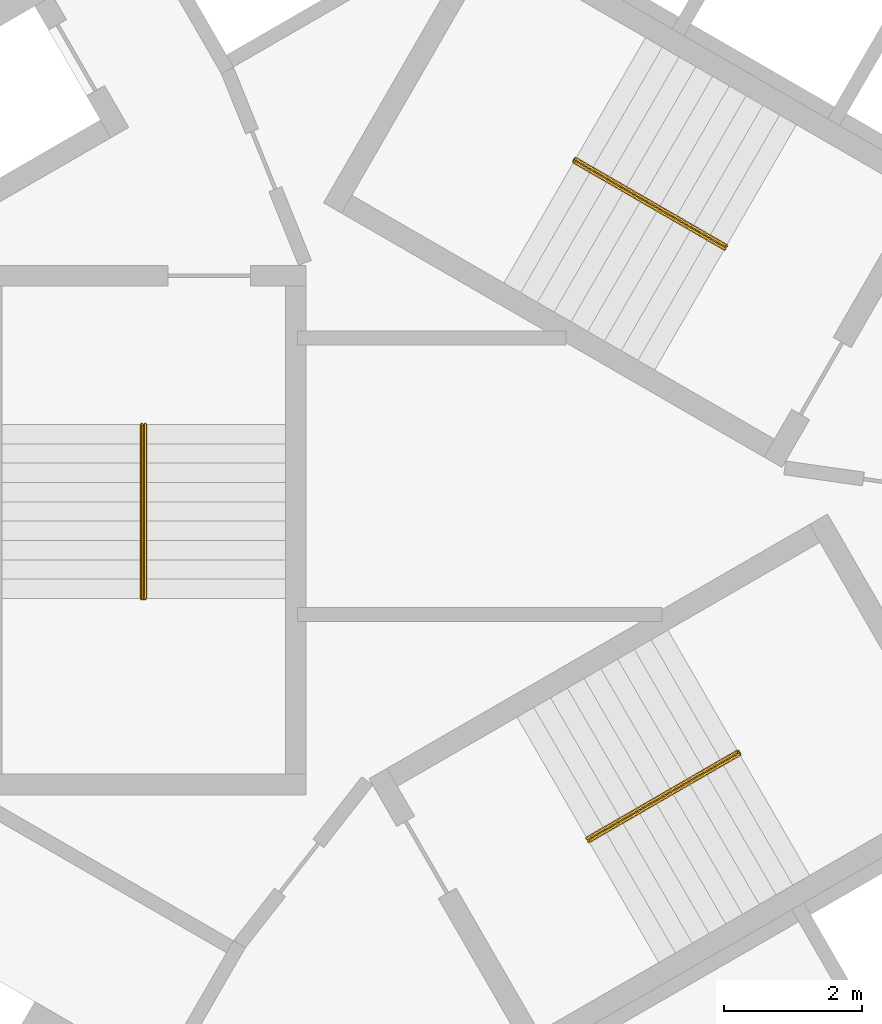
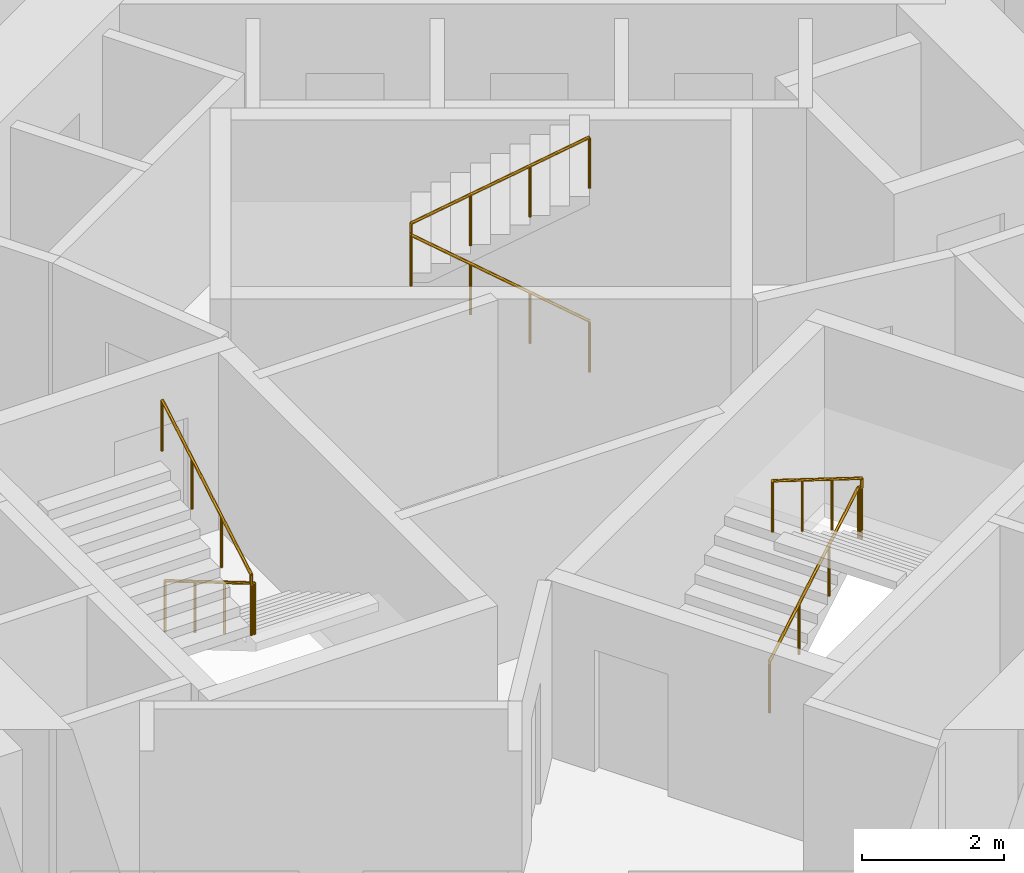
# One storey, part 12 of 12: 3 railings.
"""IFC4 building model written with IfcOpenShell, lengths in metres."""

from ifc_helpers import new_model, si_unit, direction, frame, origin, origin_2d, place, context, subcontext, project, spatial, circle, extrude, material, type_object, element, save


model = new_model("IFC4")

# Units and contexts
model_context = context("Model", 3, precision=1e-05, world=origin(), true_north=direction((0.0, 1.0)))
body_context = subcontext(model_context, "Body", "Model", "MODEL_VIEW")
ifc_project = project(units=[si_unit("LENGTHUNIT", "METRE"), si_unit("AREAUNIT", "SQUARE_METRE"), si_unit("VOLUMEUNIT", "CUBIC_METRE"), si_unit("PLANEANGLEUNIT", "RADIAN"), si_unit("MASSUNIT", "GRAM", prefix="KILO")], contexts=[model_context])

# Site, building, storey
site_placement = place(None, origin())
site = spatial("IfcSite", under=ifc_project, at=site_placement, CompositionType="ELEMENT")
building_placement = place(site_placement, origin())
building = spatial("IfcBuilding", under=site, at=building_placement, Name="Vanh Sen Convention Tower", CompositionType="ELEMENT")
storey_placement = place(building_placement, frame((0.0, 0.0, 83.60009765625)))
storey = spatial("IfcBuildingStorey", under=building, at=storey_placement, Name="L18", CompositionType="ELEMENT", Elevation=83.60009765625)

# Railings
ifc_material = material(Name="Stainless steel handrail", Category="steel")
railing_type = type_object("IfcRailingType", Name="Stair handrail 900", PredefinedType="HANDRAIL", material=ifc_material)
railing_1_placement = place(storey_placement, frame((3.45849609375, 3.690185546875, 0.164794921875)))
element("IfcRailing", 1, at=railing_1_placement, inside=storey, type_object=railing_type, Name="Stair handrail ST1 L18", PredefinedType="HANDRAIL", context=body_context, shape_type="SweptSolid", body=[
    extrude(circle(Radius=0.02392578125, at=origin_2d()), frame((0.0, 0.0, 0.8759765625), z_axis=(-0.746134546661, 0.430738299252, 0.507688640642), x_axis=(-0.499962843328, -0.866046855136, 0.0)), (0.0, 0.0, 1.0), 2.92529296875),
    extrude(circle(Radius=0.02392578125, at=origin_2d()), frame((-2.1826171875, 1.260009765625, 2.36083984375), z_axis=(0.502959906984, 0.86430974307, 0.0), x_axis=(-0.86430974307, 0.502959906984, 0.0)), (0.0, 0.0, 1.0), 0.050048828125),
    extrude(circle(Radius=0.02392578125, at=origin_2d()), frame((-2.157470703125, 1.30322265625, 2.36083984375), z_axis=(0.0, 0.0, 1.0), x_axis=(1.0, 0.0, 0.0)), (0.0, 0.0, 1.0), 0.1650390625),
    extrude(circle(Radius=0.02392578125, at=origin_2d()), frame((-2.157470703125, 1.30322265625, 2.52587890625), z_axis=(0.746129163535, -0.430783377672, 0.507658303235), x_axis=(0.500004791531, 0.866022637375, 0.0)), (0.0, 0.0, 1.0), 2.9248046875),
    extrude(circle(Radius=0.02099609375, at=origin_2d()), origin(), (0.0, 0.0, 1.0), 0.851806640625),
    extrude(circle(Radius=0.02099609375, at=origin_2d()), frame((-0.7275390625, 0.419921875, 0.4951171875)), (0.0, 0.0, 1.0), 0.851806640625),
    extrude(circle(Radius=0.02099609375, at=origin_2d()), frame((-1.455078125, 0.840087890625, 0.989990234375)), (0.0, 0.0, 1.0), 0.851806640625),
    extrude(circle(Radius=0.02099609375, at=origin_2d()), frame((-2.1826171875, 1.260009765625, 1.485107421875)), (0.0, 0.0, 1.0), 0.851806640625),
    extrude(circle(Radius=0.02099609375, at=origin_2d()), frame((-2.157470703125, 1.30322265625, 1.485107421875)), (0.0, 0.0, 1.0), 0.851806640625),
    extrude(circle(Radius=0.02099609375, at=origin_2d()), frame((-2.157470703125, 1.30322265625, 1.650146484375)), (0.0, 0.0, 1.0), 0.851806640625),
    extrude(circle(Radius=0.02099609375, at=origin_2d()), frame((-1.429931640625, 0.88330078125, 2.14501953125)), (0.0, 0.0, 1.0), 0.851806640625),
    extrude(circle(Radius=0.02099609375, at=origin_2d()), frame((-0.70263671875, 0.463134765625, 2.64013671875)), (0.0, 0.0, 1.0), 0.851806640625),
    extrude(circle(Radius=0.02099609375, at=origin_2d()), frame((0.02490234375, 0.043212890625, 3.135009765625)), (0.0, 0.0, 1.0), 0.851806640625),
])
railing_2_placement = place(storey_placement, frame((-4.925048828125, 1.14990234375, 0.164794921875)))
element("IfcRailing", 2, at=railing_2_placement, inside=storey, type_object=railing_type, Name="Stair handrail ST2 L18", PredefinedType="HANDRAIL", context=body_context, shape_type="SweptSolid", body=[
    extrude(circle(Radius=0.02392578125, at=origin_2d()), frame((0.0, 0.0, 0.8759765625), z_axis=(0.0, -0.86152411907, 0.507716645641), x_axis=(1.0, 0.0, 0.0)), (0.0, 0.0, 1.0), 2.925048828125),
    extrude(circle(Radius=0.02392578125, at=origin_2d()), frame((0.0, -2.52001953125, 2.36083984375), z_axis=(-1.0, 0.0, 0.0), x_axis=(0.0, -1.0, 0.0)), (0.0, 0.0, 1.0), 0.050048828125),
    extrude(circle(Radius=0.02392578125, at=origin_2d()), frame((-0.050048828125, -2.52001953125, 2.36083984375), z_axis=(0.0, 0.0, 1.0), x_axis=(1.0, 0.0, 0.0)), (0.0, 0.0, 1.0), 0.1650390625),
    extrude(circle(Radius=0.02392578125, at=origin_2d()), frame((-0.050048828125, -2.52001953125, 2.52587890625), z_axis=(0.0, 0.861560626758, 0.507654692109), x_axis=(-1.0, 0.0, 0.0)), (0.0, 0.0, 1.0), 2.925048828125),
    extrude(circle(Radius=0.02099609375, at=origin_2d()), origin(), (0.0, 0.0, 1.0), 0.851806640625),
    extrude(circle(Radius=0.02099609375, at=origin_2d()), frame((0.0, -0.840087890625, 0.4951171875)), (0.0, 0.0, 1.0), 0.851806640625),
    extrude(circle(Radius=0.02099609375, at=origin_2d()), frame((0.0, -1.679931640625, 0.989990234375)), (0.0, 0.0, 1.0), 0.851806640625),
    extrude(circle(Radius=0.02099609375, at=origin_2d()), frame((0.0, -2.52001953125, 1.485107421875)), (0.0, 0.0, 1.0), 0.851806640625),
    extrude(circle(Radius=0.02099609375, at=origin_2d()), frame((-0.050048828125, -2.52001953125, 1.485107421875)), (0.0, 0.0, 1.0), 0.851806640625),
    extrude(circle(Radius=0.02099609375, at=origin_2d()), frame((-0.050048828125, -2.52001953125, 1.650146484375)), (0.0, 0.0, 1.0), 0.851806640625),
    extrude(circle(Radius=0.02099609375, at=origin_2d()), frame((-0.050048828125, -1.679931640625, 2.14501953125)), (0.0, 0.0, 1.0), 0.851806640625),
    extrude(circle(Radius=0.02099609375, at=origin_2d()), frame((-0.050048828125, -0.840087890625, 2.64013671875)), (0.0, 0.0, 1.0), 0.851806640625),
    extrude(circle(Radius=0.02099609375, at=origin_2d()), frame((-0.050048828125, 0.0, 3.135009765625)), (0.0, 0.0, 1.0), 0.851806640625),
])
railing_3_placement = place(storey_placement, frame((1.466552734375, -4.840087890625, 0.164794921875)))
element("IfcRailing", 3, at=railing_3_placement, inside=storey, type_object=railing_type, Name="Stair handrail ST3 L18", PredefinedType="HANDRAIL", context=body_context, shape_type="SweptSolid", body=[
    extrude(circle(Radius=0.02392578125, at=origin_2d()), frame((0.0, 0.0, 0.8759765625), z_axis=(0.746097546679, 0.430765123438, 0.507720256902), x_axis=(-0.500004791531, 0.866022637375, 0.0)), (0.0, 0.0, 1.0), 2.925048828125),
    extrude(circle(Radius=0.02392578125, at=origin_2d()), frame((2.182373046875, 1.260009765625, 2.36083984375), z_axis=(0.500844580232, -0.86553723574, 0.0), x_axis=(0.86553723574, 0.500844580232, 0.0)), (0.0, 0.0, 1.0), 0.05029296875),
    extrude(circle(Radius=0.02392578125, at=origin_2d()), frame((2.20751953125, 1.216552734375, 2.36083984375), z_axis=(0.0, 0.0, 1.0), x_axis=(1.0, 0.0, 0.0)), (0.0, 0.0, 1.0), 0.1650390625),
    extrude(circle(Radius=0.02392578125, at=origin_2d()), frame((2.20751953125, 1.216552734375, 2.52587890625), z_axis=(-0.746129163535, -0.430783377672, 0.507658303235), x_axis=(0.500004791531, -0.866022637375, 0.0)), (0.0, 0.0, 1.0), 2.9248046875),
    extrude(circle(Radius=0.02099609375, at=origin_2d()), origin(), (0.0, 0.0, 1.0), 0.851806640625),
    extrude(circle(Radius=0.02099609375, at=origin_2d()), frame((0.7275390625, 0.419921875, 0.4951171875)), (0.0, 0.0, 1.0), 0.851806640625),
    extrude(circle(Radius=0.02099609375, at=origin_2d()), frame((1.454833984375, 0.840087890625, 0.989990234375)), (0.0, 0.0, 1.0), 0.851806640625),
    extrude(circle(Radius=0.02099609375, at=origin_2d()), frame((2.182373046875, 1.260009765625, 1.485107421875)), (0.0, 0.0, 1.0), 0.851806640625),
    extrude(circle(Radius=0.02099609375, at=origin_2d()), frame((2.20751953125, 1.216552734375, 1.485107421875)), (0.0, 0.0, 1.0), 0.851806640625),
    extrude(circle(Radius=0.02099609375, at=origin_2d()), frame((2.20751953125, 1.216552734375, 1.650146484375)), (0.0, 0.0, 1.0), 0.851806640625),
    extrude(circle(Radius=0.02099609375, at=origin_2d()), frame((1.47998046875, 0.796630859375, 2.14501953125)), (0.0, 0.0, 1.0), 0.851806640625),
    extrude(circle(Radius=0.02099609375, at=origin_2d()), frame((0.752685546875, 0.37646484375, 2.64013671875)), (0.0, 0.0, 1.0), 0.851806640625),
    extrude(circle(Radius=0.02099609375, at=origin_2d()), frame((0.025146484375, -0.04345703125, 3.135009765625)), (0.0, 0.0, 1.0), 0.851806640625),
])

save(model, "model.ifc")
